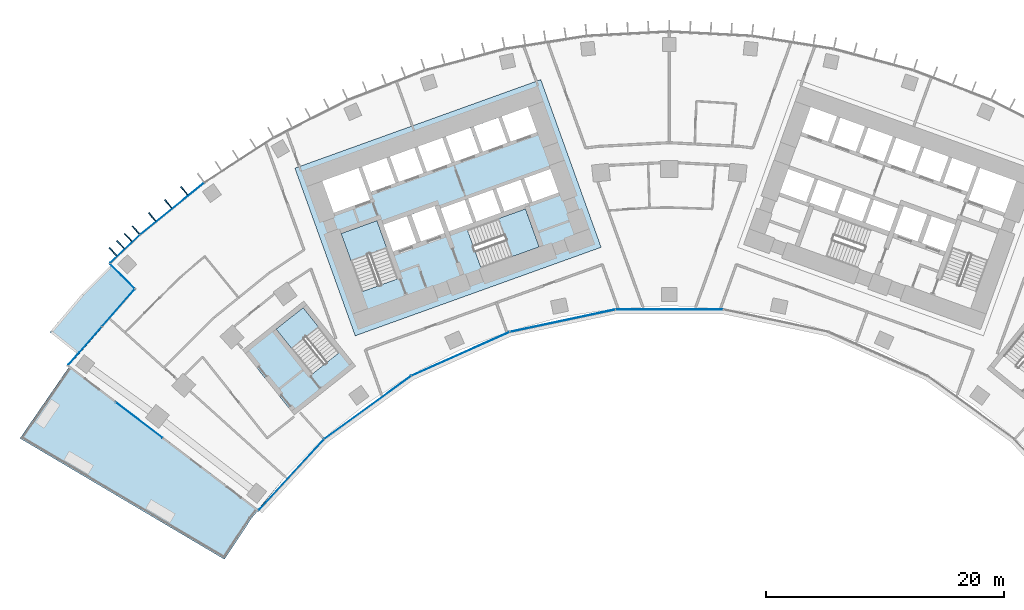
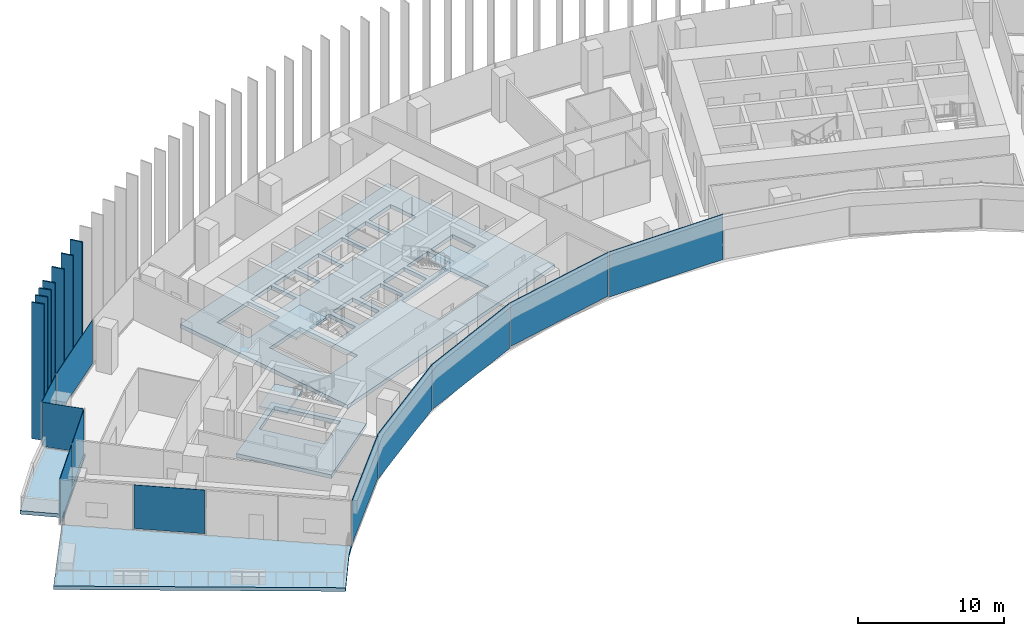
# One storey, part 11 of 21: 18 plates, 7 slabs, 8 elements without a shape of their own.
"""IFC4 building model written with IfcOpenShell, lengths in metres."""

from ifc_helpers import new_model, si_unit, direction, frame, origin, origin_2d, place, context, subcontext, project, spatial, polyline, rectangle, outline, extrude, material, layer, layer_set, type_object, element, aggregate, save


model = new_model("IFC4")

# Units and contexts
model_context = context("Model", 3, precision=1e-05, world=origin(), true_north=direction((0.0, 1.0)))
body_context = subcontext(model_context, "Body", "Model", "MODEL_VIEW")
ifc_project = project(units=[si_unit("LENGTHUNIT", "METRE"), si_unit("AREAUNIT", "SQUARE_METRE"), si_unit("VOLUMEUNIT", "CUBIC_METRE"), si_unit("PLANEANGLEUNIT", "RADIAN"), si_unit("MASSUNIT", "GRAM", prefix="KILO")], contexts=[model_context])

# Site, building, storey
site_placement = place(None, origin())
site = spatial("IfcSite", under=ifc_project, at=site_placement, CompositionType="ELEMENT")
building_placement = place(site_placement, origin())
building = spatial("IfcBuilding", under=site, at=building_placement, Name="Stone Belt Terrace Tower", CompositionType="ELEMENT")
storey_placement = place(building_placement, frame((0.0, 0.0, 87.0)))
storey = spatial("IfcBuildingStorey", under=building, at=storey_placement, Name="L20", CompositionType="ELEMENT", Elevation=87.0)

# Curtain wall, plates
ifc_material_1 = material(Name="Aluminium 6063-T6 anodised frame", Category="aluminium")
ifc_layer_1 = layer(ifc_material_1, 0.14990234375)
ifc_layer_set_1 = layer_set([ifc_layer_1], Name="CW-A unitised convex-face curtain wall")
curtain_wall_type_1 = type_object("IfcCurtainWallType", Name="CW-A unitised convex-face curtain wall", PredefinedType="NOTDEFINED", material=ifc_layer_set_1)
curtain_wall_1_placement = place(storey_placement, origin())
curtain_wall_1 = element("IfcCurtainWall", 1, at=curtain_wall_1_placement, inside=storey, type_object=curtain_wall_type_1, Name="CW-A convex face L20", PredefinedType="NOTDEFINED")
ifc_material_2 = material(Name="Clear double glazed unit")
ifc_layer_2 = layer(ifc_material_2, 0.031982421875)
ifc_layer_set_2 = layer_set([ifc_layer_2], Name="CW-A glass panel 32")
plate_type_1 = type_object("IfcPlateType", Name="CW-A glass panel 32", PredefinedType="CURTAIN_PANEL", material=ifc_layer_set_2)
plate_1_placement = place(storey_placement, frame((-41.839599609375, 51.667724609375, 0.14013671875), z_axis=(0.0, 0.0, 1.0), x_axis=(-0.777145961457, -0.62932039105, 0.0)))
plate_1 = element("IfcPlate", 2, at=plate_1_placement, type_object=plate_type_1, Name="CW-A panel 16.1", PredefinedType="CURTAIN_PANEL", context=body_context, shape_type="SweptSolid", body=[
    extrude(rectangle(XDim=6.900634765625, YDim=0.031982421875, at=origin_2d()), origin(), (0.0, 0.0, 1.0), 3.659912109375),
])
plate_2_placement = place(storey_placement, frame((-45.805908203125, 48.281494140625, 0.14013671875), z_axis=(0.0, 0.0, 1.0), x_axis=(-0.725627811581, -0.688087406556, 0.0)))
plate_2 = element("IfcPlate", 3, at=plate_2_placement, type_object=plate_type_1, Name="CW-A panel 17.1", PredefinedType="CURTAIN_PANEL", context=body_context, shape_type="SweptSolid", body=[
    extrude(rectangle(XDim=3.405029296875, YDim=0.031982421875, at=origin_2d()), origin(), (0.0, 0.0, 1.0), 3.659912109375),
])
aggregate(curtain_wall_1, [plate_1, plate_2])

ifc_layer_3 = layer(ifc_material_1, 0.14990234375)
ifc_layer_set_3 = layer_set([ifc_layer_3], Name="CW-B unitised concave-face curtain wall")
curtain_wall_type_2 = type_object("IfcCurtainWallType", Name="CW-B unitised concave-face curtain wall", PredefinedType="NOTDEFINED", material=ifc_layer_set_3)
curtain_wall_2_placement = place(storey_placement, origin())
curtain_wall_2 = element("IfcCurtainWall", 4, at=curtain_wall_2_placement, inside=storey, type_object=curtain_wall_type_2, Name="CW-B concave face L20", PredefinedType="NOTDEFINED")
ifc_layer_4 = layer(ifc_material_2, 0.030029296875)
ifc_layer_set_4 = layer_set([ifc_layer_4], Name="CW-B glass panel 30")
plate_type_2 = type_object("IfcPlateType", Name="CW-B glass panel 30", PredefinedType="CURTAIN_PANEL", material=ifc_layer_set_4)
plate_3_placement = place(storey_placement, frame((-31.81591796875, 29.27490234375, 0.1201171875), z_axis=(0.0, 0.0, 1.0), x_axis=(0.677440300006, 0.735577759266, 0.0)))
plate_3 = element("IfcPlate", 5, at=plate_3_placement, type_object=plate_type_2, Name="CW-B panel 1.1", PredefinedType="CURTAIN_PANEL", context=body_context, shape_type="SweptSolid", body=[
    extrude(rectangle(XDim=8.08056640625, YDim=0.030029296875, at=origin_2d()), origin(), (0.0, 0.0, 1.0), 3.679931640625),
])
plate_4_placement = place(storey_placement, frame((-25.384765625, 34.9384765625, 0.0), z_axis=(0.0, 0.0, 1.0), x_axis=(0.809016994375, 0.587785252292, 0.0)))
plate_4 = element("IfcPlate", 6, at=plate_4_placement, type_object=plate_type_2, Name="CW-B panel 2.1", PredefinedType="CURTAIN_PANEL", context=body_context, shape_type="SweptSolid", body=[
    extrude(rectangle(XDim=9.013671875, YDim=0.030029296875, at=origin_2d()), origin(), (0.0, 0.0, 1.0), 3.800048828125),
])
plate_5_placement = place(storey_placement, frame((-17.565673828125, 39.453125, 0.0), z_axis=(0.0, 0.0, 1.0), x_axis=(0.913545457643, 0.406736643076, 0.0)))
plate_5 = element("IfcPlate", 7, at=plate_5_placement, type_object=plate_type_2, Name="CW-B panel 3.1", PredefinedType="CURTAIN_PANEL", context=body_context, shape_type="SweptSolid", body=[
    extrude(rectangle(XDim=9.0126953125, YDim=0.030029296875, at=origin_2d()), origin(), (0.0, 0.0, 1.0), 3.800048828125),
])
plate_6_placement = place(storey_placement, frame((-8.97900390625, 42.242919921875, 0.1201171875), z_axis=(0.0, 0.0, 1.0), x_axis=(0.978147600734, 0.207911690818, 0.0)))
plate_6 = element("IfcPlate", 8, at=plate_6_placement, type_object=plate_type_2, Name="CW-B panel 4.1", PredefinedType="CURTAIN_PANEL", context=body_context, shape_type="SweptSolid", body=[
    extrude(rectangle(XDim=9.0126953125, YDim=0.030029296875, at=origin_2d()), origin(), (0.0, 0.0, 1.0), 3.679931640625),
])
plate_7_placement = place(storey_placement, frame((0.0, 43.186767578125, 0.0), z_axis=(0.0, 0.0, 1.0), x_axis=(1.0, 0.0, 0.0)))
plate_7 = element("IfcPlate", 9, at=plate_7_placement, type_object=plate_type_2, Name="CW-B panel 5.1", PredefinedType="CURTAIN_PANEL", context=body_context, shape_type="SweptSolid", body=[
    extrude(rectangle(XDim=9.0126953125, YDim=0.030029296875, at=origin_2d()), origin(), (0.0, 0.0, 1.0), 3.800048828125),
])
aggregate(curtain_wall_2, [plate_3, plate_4, plate_5, plate_6, plate_7])

# Curtain wall, plate
ifc_layer_5 = layer(ifc_material_1, 0.14990234375)
ifc_layer_set_5 = layer_set([ifc_layer_5], Name="CW-C stick curtain wall, horn ends and notches")
curtain_wall_type_3 = type_object("IfcCurtainWallType", Name="CW-C stick curtain wall, horn ends and notches", PredefinedType="NOTDEFINED", material=ifc_layer_set_5)
curtain_wall_3_placement = place(storey_placement, origin())
curtain_wall_3 = element("IfcCurtainWall", 10, at=curtain_wall_3_placement, inside=storey, type_object=curtain_wall_type_3, Name="CW-C notch face L20", PredefinedType="NOTDEFINED")
ifc_layer_6 = layer(ifc_material_2, 0.028076171875)
ifc_layer_set_6 = layer_set([ifc_layer_6], Name="CW-C glass panel 28")
plate_type_3 = type_object("IfcPlateType", Name="CW-C glass panel 28", PredefinedType="CURTAIN_PANEL", material=ifc_layer_set_6)
plate_8_placement = place(storey_placement, frame((-46.032470703125, 45.994384765625, 0.1201171875), z_axis=(0.0, 0.0, 1.0), x_axis=(0.70658579876, -0.707627380046, 0.0)))
plate_8 = element("IfcPlate", 11, at=plate_8_placement, type_object=plate_type_3, Name="CW-C panel 1.1", PredefinedType="CURTAIN_PANEL", context=body_context, shape_type="SweptSolid", body=[
    extrude(rectangle(XDim=2.859130859375, YDim=0.028076171875, at=origin_2d()), origin(), (0.0, 0.0, 1.0), 3.679931640625),
])
aggregate(curtain_wall_3, [plate_8])

# Curtain wall, plates
curtain_wall_4_placement = place(storey_placement, origin())
curtain_wall_4 = element("IfcCurtainWall", 12, at=curtain_wall_4_placement, inside=storey, type_object=curtain_wall_type_3, Name="CW-C notch face L20", PredefinedType="NOTDEFINED")
plate_9_placement = place(storey_placement, frame((-46.375, 43.324951171875, 0.1201171875), z_axis=(0.0, 0.0, 1.0), x_axis=(-0.658230250003, -0.752816669569, 0.0)))
plate_9 = element("IfcPlate", 13, at=plate_9_placement, type_object=plate_type_3, Name="CW-C panel 1.1", PredefinedType="CURTAIN_PANEL", context=body_context, shape_type="SweptSolid", body=[
    extrude(rectangle(XDim=4.12060546875, YDim=0.028076171875, at=origin_2d()), origin(), (0.0, 0.0, 1.0), 3.679931640625),
])
plate_10_placement = place(storey_placement, frame((-49.175537109375, 40.1220703125, 0.0), z_axis=(0.0, 0.0, 1.0), x_axis=(-0.658230250003, -0.752816669569, 0.0)))
plate_10 = element("IfcPlate", 14, at=plate_10_placement, type_object=plate_type_3, Name="CW-C panel 2.1", PredefinedType="CURTAIN_PANEL", context=body_context, shape_type="SweptSolid", body=[
    extrude(rectangle(XDim=4.268798828125, YDim=0.028076171875, at=origin_2d()), origin(), (0.0, 0.0, 1.0), 3.800048828125),
])
aggregate(curtain_wall_4, [plate_9, plate_10])

# Curtain wall, plate
ifc_layer_7 = layer(ifc_material_1, 0.14990234375)
ifc_layer_set_7 = layer_set([ifc_layer_7], Name="CW-E conservatory and damper hall curtain wall")
curtain_wall_type_4 = type_object("IfcCurtainWallType", Name="CW-E conservatory and damper hall curtain wall", PredefinedType="NOTDEFINED", material=ifc_layer_set_7)
curtain_wall_5_placement = place(storey_placement, origin())
curtain_wall_5 = element("IfcCurtainWall", 15, at=curtain_wall_5_placement, inside=storey, type_object=curtain_wall_type_4, Name="CW-E end face L20", PredefinedType="NOTDEFINED")
ifc_layer_8 = layer(ifc_material_2, 0.035888671875)
ifc_layer_set_8 = layer_set([ifc_layer_8], Name="CW-E glass panel 36")
plate_type_4 = type_object("IfcPlateType", Name="CW-E glass panel 36", PredefinedType="CURTAIN_PANEL", material=ifc_layer_set_8)
plate_11_placement = place(storey_placement, frame((-44.59912109375, 33.8662109375, 0.150146484375), z_axis=(0.0, 0.0, 1.0), x_axis=(0.795601620036, -0.605820156644, 0.0)))
plate_11 = element("IfcPlate", 16, at=plate_11_placement, type_object=plate_type_4, Name="CW-E panel 2.1", PredefinedType="CURTAIN_PANEL", context=body_context, shape_type="SweptSolid", body=[
    extrude(rectangle(XDim=4.919921875, YDim=0.035888671875, at=origin_2d()), origin(), (0.0, 0.0, 1.0), 3.64990234375),
])
aggregate(curtain_wall_5, [plate_11])

# Slabs
ifc_material_3 = material(Name="Concrete B40", Category="concrete")
ifc_layer_9 = layer(ifc_material_3, 0.320068359375)
ifc_layer_set_9 = layer_set([ifc_layer_9], Name="Core floor slab 320")
slab_type_1 = type_object("IfcSlabType", Name="Core floor slab 320", PredefinedType="FLOOR", material=ifc_layer_set_9)
slab_1_placement = place(storey_placement, frame((0.0, 0.0, -0.320068359375)))
element("IfcSlab", 17, at=slab_1_placement, inside=storey, type_object=slab_type_1, Name="Core A floor L20", PredefinedType="FLOOR", context=body_context, shape_type="SweptSolid", body=[
    extrude(outline(polyline([(-26.43505859375, 40.968994140625), (-5.735107421875, 48.4189453125), (-10.81396484375, 62.531982421875), (-31.513916015625, 55.0830078125), (-26.43505859375, 40.968994140625)]), holes=[polyline([(-24.60791015625, 50.659912109375), (-22.847900390625, 45.76806640625), (-25.85888671875, 44.68408203125), (-27.618896484375, 49.575927734375), (-24.60791015625, 50.659912109375)]), polyline([(-21.27392578125, 48.778076171875), (-23.25, 48.06689453125), (-24.06298828125, 50.324951171875), (-22.0869140625, 51.035888671875), (-21.27392578125, 48.778076171875)]), polyline([(-18.922119140625, 49.6240234375), (-20.89794921875, 48.9130859375), (-21.7109375, 51.1708984375), (-19.735107421875, 51.883056640625), (-18.922119140625, 49.6240234375)]), polyline([(-19.239990234375, 51.68896484375), (-17.217041015625, 52.4169921875), (-16.52294921875, 50.488037109375), (-18.5458984375, 49.760009765625), (-19.239990234375, 51.68896484375)]), polyline([(-29.2109375, 53.9990234375), (-26.153076171875, 55.09912109375), (-25.18798828125, 52.41796875), (-28.24609375, 51.31689453125), (-29.2109375, 53.9990234375)]), polyline([(-23.801025390625, 55.946044921875), (-23.0390625, 53.8291015625), (-25.10888671875, 53.083984375), (-25.87109375, 55.200927734375), (-23.801025390625, 55.946044921875)]), polyline([(-21.447998046875, 56.7919921875), (-20.68603515625, 54.675048828125), (-22.756103515625, 53.929931640625), (-23.51806640625, 56.047119140625), (-21.447998046875, 56.7919921875)]), polyline([(-19.095947265625, 57.638916015625), (-18.333984375, 55.52197265625), (-20.404052734375, 54.777099609375), (-21.166015625, 56.89404296875), (-19.095947265625, 57.638916015625)]), polyline([(-15.846923828125, 46.69189453125), (-16.998046875, 49.89208984375), (-12.10595703125, 51.652099609375), (-10.955078125, 48.452880859375), (-15.846923828125, 46.69189453125)]), polyline([(-16.239990234375, 50.589111328125), (-16.93408203125, 52.51806640625), (-14.864013671875, 53.262939453125), (-14.169921875, 51.333984375), (-16.239990234375, 50.589111328125)]), polyline([(-11.801025390625, 52.134033203125), (-11.847900390625, 52.116943359375), (-11.864990234375, 52.1640625), (-13.887939453125, 51.43603515625), (-14.58203125, 53.364990234375), (-12.511962890625, 54.110107421875), (-11.801025390625, 52.134033203125)]), polyline([(-9.30810546875, 53.031005859375), (-11.51904296875, 52.235107421875), (-12.22998046875, 54.2109375), (-10.01904296875, 55.007080078125), (-9.30810546875, 53.031005859375)]), polyline([(-16.743896484375, 58.485107421875), (-15.98193359375, 56.367919921875), (-18.052001953125, 55.623046875), (-18.81396484375, 57.739990234375), (-16.743896484375, 58.485107421875)]), polyline([(-14.39111328125, 59.33203125), (-13.6298828125, 57.215087890625), (-15.699951171875, 56.469970703125), (-16.4609375, 58.5869140625), (-14.39111328125, 59.33203125)]), polyline([(-11.89794921875, 60.22900390625), (-11.135986328125, 58.112060546875), (-13.346923828125, 57.31591796875), (-14.10888671875, 59.43408203125), (-11.89794921875, 60.22900390625)])]), origin(), (0.0, 0.0, 1.0), 0.320068359375),
])
slab_2_placement = place(storey_placement, frame((0.0, 0.0, -0.320068359375)))
element("IfcSlab", 18, at=slab_2_placement, inside=storey, type_object=slab_type_1, Name="Exit stair ST3A floor L20", PredefinedType="FLOOR", context=body_context, shape_type="SweptSolid", body=[
    extrude(outline(polyline([(-26.39404296875, 38.425048828125), (-30.756103515625, 43.89990234375), (-35.91796875, 39.787109375), (-31.555908203125, 34.31298828125), (-26.39404296875, 38.425048828125)]), holes=[polyline([(-27.798095703125, 39.544921875), (-30.06591796875, 37.738037109375), (-33.087890625, 41.531005859375), (-30.820068359375, 43.337890625), (-27.798095703125, 39.544921875)])]), origin(), (0.0, 0.0, 1.0), 0.320068359375),
])

# Stair, slab
stair_type = type_object("IfcStairType", Name="Exit stair 1500", PredefinedType="HALF_TURN_STAIR", material=ifc_material_3)
stair_1_placement = place(storey_placement, origin())
stair_1 = element("IfcStair", 19, at=stair_1_placement, inside=storey, type_object=stair_type, Name="L20 Exit stair 1 core A", PredefinedType="HALF_TURN_STAIR")
ifc_layer_10 = layer(ifc_material_3, 0.199951171875)
ifc_layer_set_10 = layer_set([ifc_layer_10], Name="Stair landing 200")
slab_type_2 = type_object("IfcSlabType", Name="Stair landing 200", PredefinedType="LANDING", material=ifc_layer_set_10)
slab_3_placement = place(storey_placement, frame((0.0, 0.0, 1.699951171875)))
slab_3 = element("IfcSlab", 20, at=slab_3_placement, type_object=slab_type_2, Name="ST1A landing 1", PredefinedType="LANDING", context=body_context, shape_type="SweptSolid", body=[
    extrude(outline(polyline([(-23.79541015625, 48.40087890625), (-24.6083984375, 50.659912109375), (-27.619384765625, 49.576171875), (-26.806396484375, 47.3173828125), (-23.79541015625, 48.40087890625)])), origin(), (0.0, 0.0, 1.0), 0.199951171875),
])
aggregate(stair_1, [slab_3])

stair_2_placement = place(storey_placement, origin())
stair_2 = element("IfcStair", 21, at=stair_2_placement, inside=storey, type_object=stair_type, Name="L20 Exit stair 2 core A", PredefinedType="HALF_TURN_STAIR")
slab_4_placement = place(storey_placement, frame((0.0, 0.0, 1.699951171875)))
slab_4 = element("IfcSlab", 22, at=slab_4_placement, type_object=slab_type_2, Name="ST2A landing 1", PredefinedType="LANDING", context=body_context, shape_type="SweptSolid", body=[
    extrude(outline(polyline([(-13.213623046875, 47.64013671875), (-10.95458984375, 48.453125), (-12.10595703125, 51.652099609375), (-14.36474609375, 50.839111328125), (-13.213623046875, 47.64013671875)])), origin(), (0.0, 0.0, 1.0), 0.199951171875),
])
aggregate(stair_2, [slab_4])

stair_3_placement = place(storey_placement, origin())
stair_3 = element("IfcStair", 23, at=stair_3_placement, inside=storey, type_object=stair_type, Name="L20 Exit stair 3A", PredefinedType="HALF_TURN_STAIR")
slab_5_placement = place(storey_placement, frame((0.0, 0.0, 1.699951171875)))
slab_5 = element("IfcSlab", 24, at=slab_5_placement, type_object=slab_type_2, Name="ST3A landing 1", PredefinedType="LANDING", context=body_context, shape_type="SweptSolid", body=[
    extrude(outline(polyline([(-29.541748046875, 41.73388671875), (-30.819580078125, 43.337890625), (-33.087646484375, 41.53076171875), (-31.809814453125, 39.9267578125), (-29.541748046875, 41.73388671875)])), origin(), (0.0, 0.0, 1.0), 0.199951171875),
])
aggregate(stair_3, [slab_5])

# Slabs
ifc_layer_11 = layer(ifc_material_3, 0.300048828125)
ifc_layer_set_11 = layer_set([ifc_layer_11], Name="Terrace slab 300 B40")
slab_type_3 = type_object("IfcSlabType", Name="Terrace slab 300 B40", PredefinedType="FLOOR", material=ifc_layer_set_11)
slab_6_placement = place(storey_placement, frame((0.0, 0.0, -0.300048828125)))
element("IfcSlab", 25, at=slab_6_placement, inside=storey, type_object=slab_type_3, Name="Terrace slab L20-sky_garden-1", PredefinedType="FLOOR", context=body_context, shape_type="SweptSolid", body=[
    extrude(outline(polyline([(-37.434326171875, 22.156982421875), (-35.192138671875, 25.568603515625), (-32.54443359375, 28.83837890625), (-32.547607421875, 28.8408203125), (-34.608642578125, 26.353271484375), (-50.46484375, 38.427001953125), (-54.6455078125, 32.343994140625), (-37.434326171875, 22.156982421875)])), origin(), (0.0, 0.0, 1.0), 0.300048828125),
])
slab_7_placement = place(storey_placement, frame((0.0, 0.0, -0.300048828125)))
element("IfcSlab", 26, at=slab_7_placement, inside=storey, type_object=slab_type_3, Name="Terrace slab L20-notch_roof-2", PredefinedType="FLOOR", context=body_context, shape_type="SweptSolid", body=[
    extrude(outline(polyline([(-52.133544921875, 41.28369140625), (-49.78173828125, 39.421142578125), (-50.109619140625, 38.944091796875), (-50.107421875, 38.9423828125), (-44.8681640625, 44.934326171875), (-46.923583984375, 46.99267578125), (-49.419189453125, 44.497314453125), (-52.133544921875, 41.28369140625)])), origin(), (0.0, 0.0, 1.0), 0.300048828125),
])

# Plates
ifc_material_4 = material(Name="Terracotta coloured glazed ceramic", Category="masonry")
ifc_layer_12 = layer(ifc_material_4, 0.10009765625)
ifc_layer_set_12 = layer_set([ifc_layer_12], Name="Terracotta fin 100 x 900")
plate_type_5 = type_object("IfcPlateType", Name="Terracotta fin 100 x 900", PredefinedType="SHEET", material=ifc_layer_set_12)
for number, where, z_axis, x_axis, name in (
    (27, (-40.81591796875, 53.172119140625, 0.0), (0.0, 0.0, 1.0), (-0.62932039105, 0.777145961457, 0.0), "FIN L20 16.2"),
    (28, (-42.169677734375, 52.075927734375, 0.0), (0.0, 0.0, 1.0), (-0.62932039105, 0.777145961457, 0.0), "FIN L20 16.3"),
    (29, (-43.5234375, 50.979736328125, 0.0), (0.0, 0.0, 1.0), (-0.62932039105, 0.777145961457, 0.0), "FIN L20 16.4"),
    (30, (-44.892822265625, 49.870361328125, 0.0), (0.0, 0.0, 1.0), (-0.659207369679, 0.751961198308, 0.0), "FIN L20 17.1"),
    (31, (-45.545166015625, 49.252197265625, 0.0), (0.0, 0.0, 1.0), (-0.688087406556, 0.725627811581, 0.0), "FIN L20 17.2"),
    (32, (-46.182373046875, 48.648193359375, 0.0), (0.0, 0.0, 1.0), (-0.688087406556, 0.725627811581, 0.0), "FIN L20 17.3"),
    (33, (-46.819580078125, 48.0439453125, 0.0), (0.0, 0.0, 1.0), (-0.688087406556, 0.725627811581, 0.0), "FIN L20 17.4"),
):
    element("IfcPlate", number, at=place(storey_placement, frame(where, z_axis=z_axis, x_axis=x_axis)), inside=storey, type_object=plate_type_5, Name=name, PredefinedType="SHEET", context=body_context, shape_type="SweptSolid", body=[
        extrude(rectangle(XDim=0.89990234375, YDim=0.10009765625, at=origin_2d()), origin(), (0.0, 0.0, 1.0), 11.39990234375),
    ])

save(model, "model.ifc")
